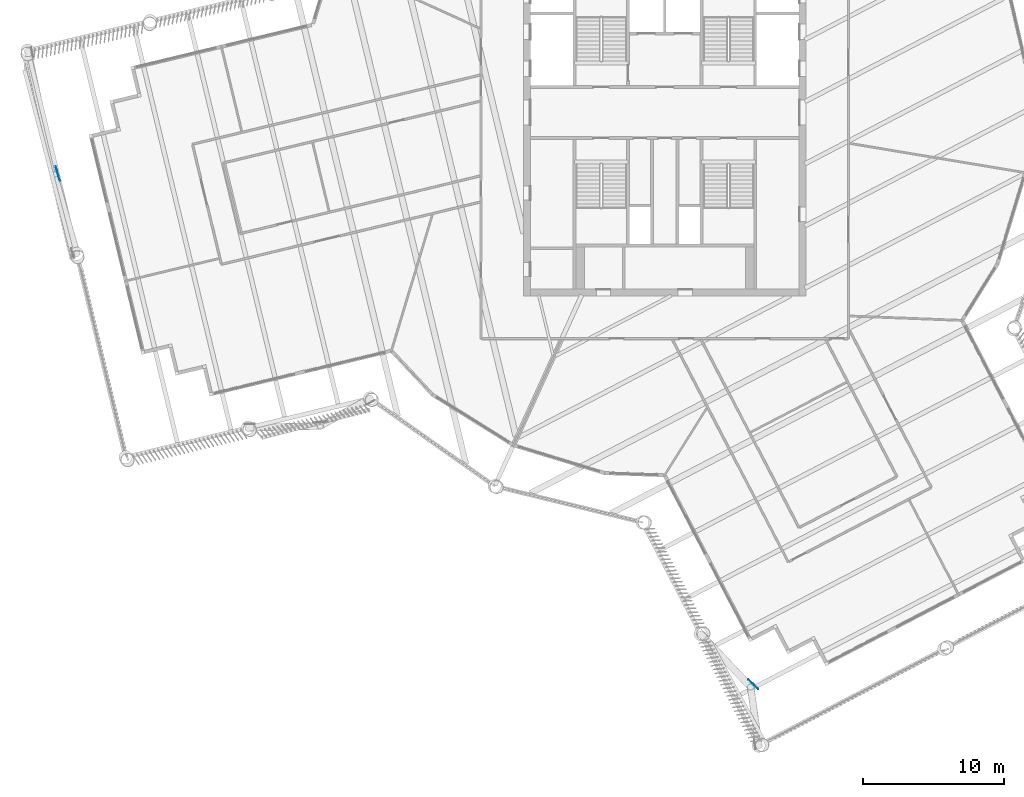
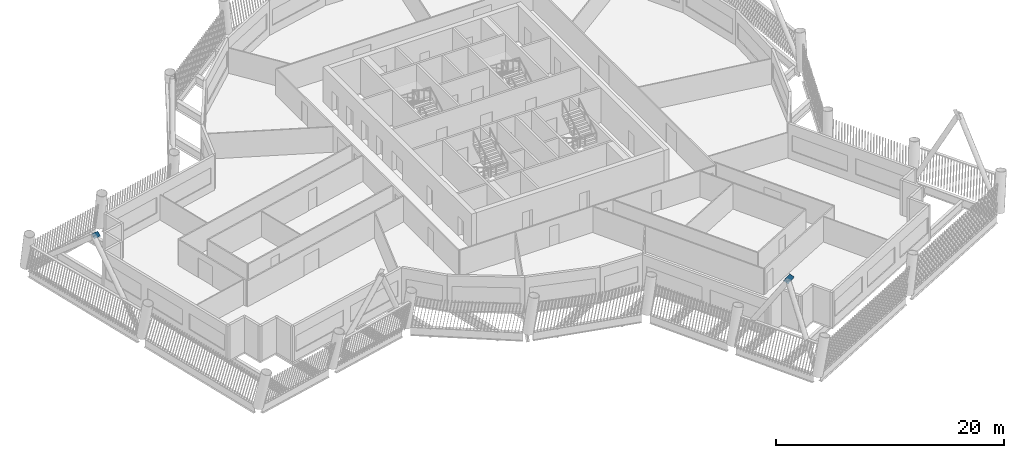
# One storey, part 8 of 22: 2 discrete accessories.
"""IFC4 building model written with IfcOpenShell, lengths in metres."""

from ifc_helpers import new_model, si_unit, direction, frame, origin, origin_2d, place, context, subcontext, project, spatial, rectangle, extrude, material, material_profile, profile_set, type_object, element, save


model = new_model("IFC4")

# Units and contexts
model_context = context("Model", 3, precision=1e-05, world=origin(), true_north=direction((0.0, 1.0)))
body_context = subcontext(model_context, "Body", "Model", "MODEL_VIEW")
ifc_project = project(units=[si_unit("LENGTHUNIT", "METRE"), si_unit("AREAUNIT", "SQUARE_METRE"), si_unit("VOLUMEUNIT", "CUBIC_METRE"), si_unit("PLANEANGLEUNIT", "RADIAN"), si_unit("MASSUNIT", "GRAM", prefix="KILO")], contexts=[model_context])

# Site, building, storey
site_placement = place(None, origin())
site = spatial("IfcSite", under=ifc_project, at=site_placement, CompositionType="ELEMENT")
building_placement = place(site_placement, origin())
building = spatial("IfcBuilding", under=site, at=building_placement, Name="Tarsis Ring Headquarters", CompositionType="ELEMENT")
storey_placement = place(building_placement, frame((0.0, 0.0, 339.199951171875)))
storey = spatial("IfcBuildingStorey", under=building, at=storey_placement, Name="L80", CompositionType="ELEMENT", Elevation=339.199951171875)

# Discrete accessories
ifc_material = material(Name="Structural steel S355", Category="steel")
ifc_material_profile = material_profile(ifc_material, rectangle(XDim=0.02490234375, YDim=0.5, at=origin_2d()), Name="PL 25x500")
ifc_profile_set = profile_set([ifc_material_profile], Name="Structural steel S355")
discrete_accessory_type = type_object("IfcDiscreteAccessoryType", Name="Gusset plate Exo brace 25", PredefinedType="BRACKET", material=ifc_profile_set)
discrete_accessory_1_placement = place(storey_placement, frame((6.051513671875, -40.267822265625, 7.386474609375), z_axis=(0.409416678069, -0.385003041929, 0.827133992425), x_axis=(0.685052982225, 0.728493247426, 0.0)))
element("IfcDiscreteAccessory", 1, at=discrete_accessory_1_placement, inside=storey, type_object=discrete_accessory_type, Name="Gusset plate GP5", PredefinedType="BRACKET", context=body_context, shape_type="SweptSolid", body=[
    extrude(rectangle(XDim=0.02490234375, YDim=0.5, at=origin_2d()), origin(), (0.0, 0.0, 1.0), 1.0),
])
discrete_accessory_2_placement = place(storey_placement, frame((-43.059326171875, -3.947021484375, 7.4716796875), z_axis=(0.204860916761, -0.725681340421, 0.656824631807), x_axis=(0.962386740334, 0.271683201595, 0.0)))
element("IfcDiscreteAccessory", 2, at=discrete_accessory_2_placement, inside=storey, type_object=discrete_accessory_type, Name="Gusset plate GP5", PredefinedType="BRACKET", context=body_context, shape_type="SweptSolid", body=[
    extrude(rectangle(XDim=0.02490234375, YDim=0.5, at=origin_2d()), origin(), (0.0, 0.0, 1.0), 0.999755859375),
])

save(model, "model.ifc")
